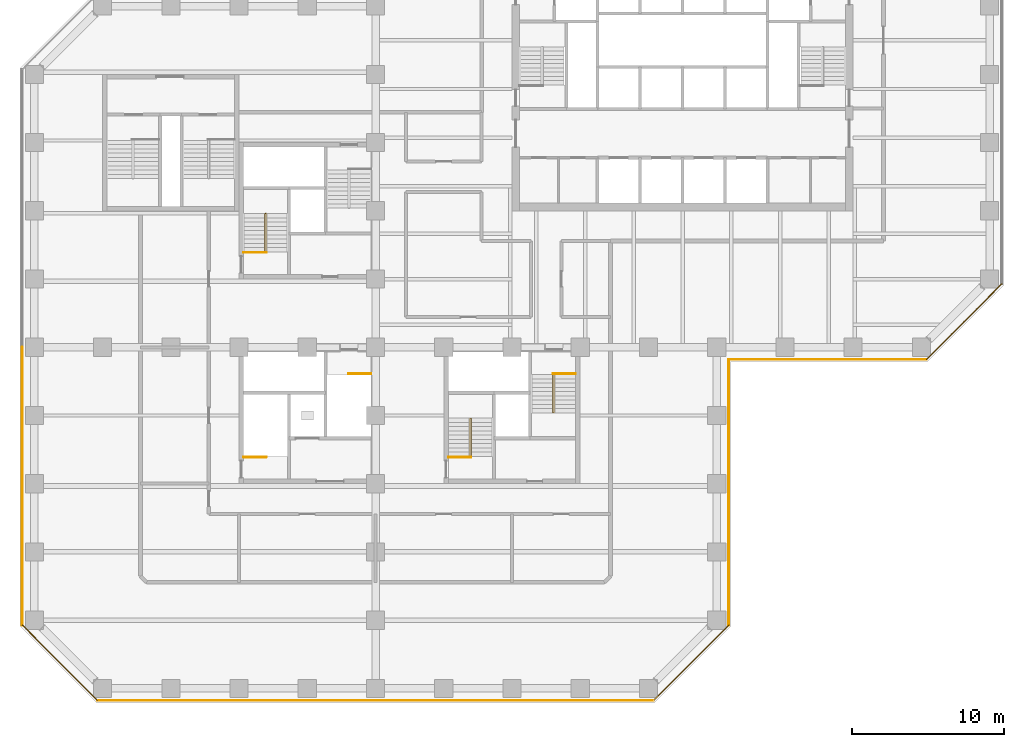
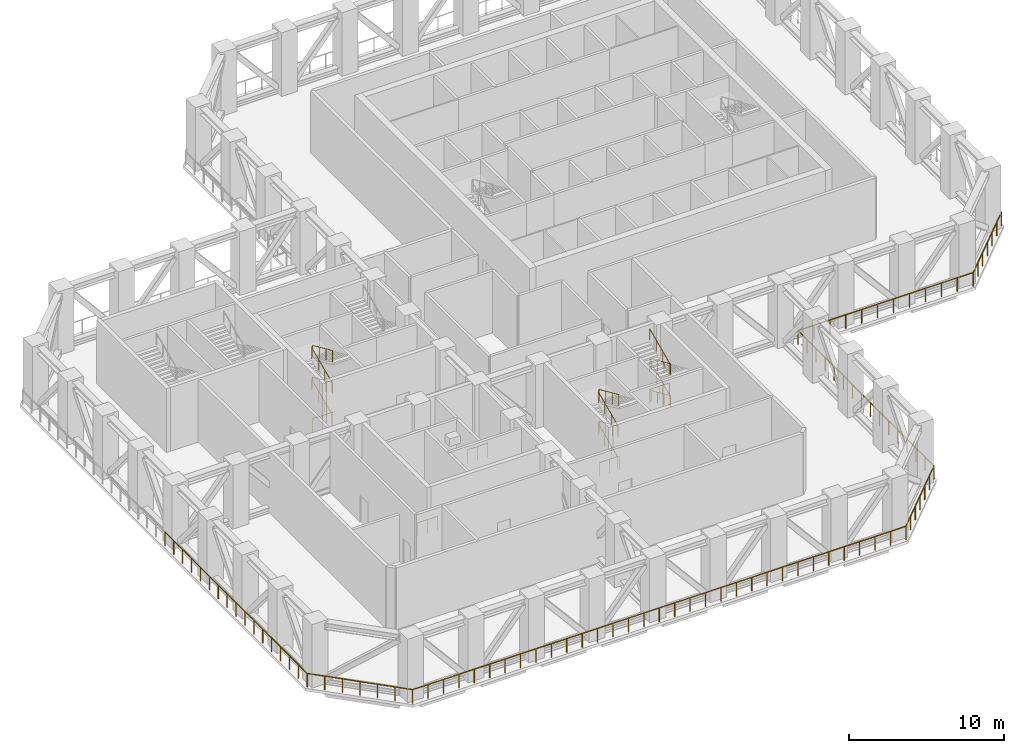
# One storey, part 14 of 16: 16 railings.
"""IFC4 building model written with IfcOpenShell, lengths in metres."""

from ifc_helpers import new_model, si_unit, direction, frame, origin, origin_2d, place, context, subcontext, project, spatial, circle, extrude, material, type_object, element, save


model = new_model("IFC4")

# Units and contexts
model_context = context("Model", 3, precision=1e-05, world=origin(), true_north=direction((0.0, 1.0)))
body_context = subcontext(model_context, "Body", "Model", "MODEL_VIEW")
ifc_project = project(units=[si_unit("LENGTHUNIT", "METRE"), si_unit("AREAUNIT", "SQUARE_METRE"), si_unit("VOLUMEUNIT", "CUBIC_METRE"), si_unit("PLANEANGLEUNIT", "RADIAN"), si_unit("MASSUNIT", "GRAM", prefix="KILO")], contexts=[model_context])

# Site, building, storey
site_placement = place(None, origin())
site = spatial("IfcSite", under=ifc_project, at=site_placement, CompositionType="ELEMENT")
building_placement = place(site_placement, origin())
building = spatial("IfcBuilding", under=site, at=building_placement, Name="Quoin Convention Tower", CompositionType="ELEMENT")
storey_placement = place(building_placement, frame((0.0, 0.0, 69.300048828125)))
storey = spatial("IfcBuildingStorey", under=building, at=storey_placement, Name="L18", CompositionType="ELEMENT", Elevation=69.300048828125)

# Railings
ifc_material = material(Name="Stainless steel", Category="steel")
railing_type_1 = type_object("IfcRailingType", Name="Guard 1100", PredefinedType="GUARDRAIL", material=ifc_material)
railing_1_placement = place(storey_placement, frame((12.699951171875, 22.168701171875, 0.0)))
element("IfcRailing", 1, at=railing_1_placement, inside=storey, type_object=railing_type_1, Name="grd-L18-13500_22500", PredefinedType="GUARDRAIL", context=body_context, shape_type="SweptSolid", body=[
    extrude(circle(Radius=0.02392578125, at=origin_2d()), frame((0.0, 0.0, 1.076171875), z_axis=(0.707106781187, -0.707106781187, 0.0), x_axis=(0.707106781187, 0.707106781187, 0.0)), (0.0, 0.0, 1.0), 7.02685546875),
    extrude(circle(Radius=0.02099609375, at=origin_2d()), origin(), (0.0, 0.0, 1.0), 1.052001953125),
    extrude(circle(Radius=0.02099609375, at=origin_2d()), frame((0.828125, -0.828125, 0.0)), (0.0, 0.0, 1.0), 1.052001953125),
    extrude(circle(Radius=0.02099609375, at=origin_2d()), frame((1.65625, -1.65625, 0.0)), (0.0, 0.0, 1.0), 1.052001953125),
    extrude(circle(Radius=0.02099609375, at=origin_2d()), frame((2.484375, -2.484375, 0.0)), (0.0, 0.0, 1.0), 1.052001953125),
    extrude(circle(Radius=0.02099609375, at=origin_2d()), frame((3.3125, -3.3125, 0.0)), (0.0, 0.0, 1.0), 1.052001953125),
    extrude(circle(Radius=0.02099609375, at=origin_2d()), frame((4.140625, -4.140625, 0.0)), (0.0, 0.0, 1.0), 1.052001953125),
    extrude(circle(Radius=0.02099609375, at=origin_2d()), frame((4.96875, -4.96875, 0.0)), (0.0, 0.0, 1.0), 1.052001953125),
])
railing_2_placement = place(storey_placement, frame((17.668701171875, 17.199951171875, 0.0)))
element("IfcRailing", 2, at=railing_2_placement, inside=storey, type_object=railing_type_1, Name="grd-L18-18000_18000", PredefinedType="GUARDRAIL", context=body_context, shape_type="SweptSolid", body=[
    extrude(circle(Radius=0.02392578125, at=origin_2d()), frame((0.0, 0.0, 1.076171875), z_axis=(1.0, 0.0, 0.0), x_axis=(0.0, 1.0, 0.0)), (0.0, 0.0, 1.0), 18.331298828125),
    extrude(circle(Radius=0.02099609375, at=origin_2d()), origin(), (0.0, 0.0, 1.0), 1.052001953125),
    extrude(circle(Radius=0.02099609375, at=origin_2d()), frame((1.145751953125, 0.0, 0.0)), (0.0, 0.0, 1.0), 1.052001953125),
    extrude(circle(Radius=0.02099609375, at=origin_2d()), frame((2.29150390625, 0.0, 0.0)), (0.0, 0.0, 1.0), 1.052001953125),
    extrude(circle(Radius=0.02099609375, at=origin_2d()), frame((3.43701171875, 0.0, 0.0)), (0.0, 0.0, 1.0), 1.052001953125),
    extrude(circle(Radius=0.02099609375, at=origin_2d()), frame((4.582763671875, 0.0, 0.0)), (0.0, 0.0, 1.0), 1.052001953125),
    extrude(circle(Radius=0.02099609375, at=origin_2d()), frame((5.728515625, 0.0, 0.0)), (0.0, 0.0, 1.0), 1.052001953125),
    extrude(circle(Radius=0.02099609375, at=origin_2d()), frame((6.874267578125, 0.0, 0.0)), (0.0, 0.0, 1.0), 1.052001953125),
    extrude(circle(Radius=0.02099609375, at=origin_2d()), frame((8.02001953125, 0.0, 0.0)), (0.0, 0.0, 1.0), 1.052001953125),
    extrude(circle(Radius=0.02099609375, at=origin_2d()), frame((9.16552734375, 0.0, 0.0)), (0.0, 0.0, 1.0), 1.052001953125),
    extrude(circle(Radius=0.02099609375, at=origin_2d()), frame((10.311279296875, 0.0, 0.0)), (0.0, 0.0, 1.0), 1.052001953125),
    extrude(circle(Radius=0.02099609375, at=origin_2d()), frame((11.45703125, 0.0, 0.0)), (0.0, 0.0, 1.0), 1.052001953125),
    extrude(circle(Radius=0.02099609375, at=origin_2d()), frame((12.602783203125, 0.0, 0.0)), (0.0, 0.0, 1.0), 1.052001953125),
    extrude(circle(Radius=0.02099609375, at=origin_2d()), frame((13.74853515625, 0.0, 0.0)), (0.0, 0.0, 1.0), 1.052001953125),
    extrude(circle(Radius=0.02099609375, at=origin_2d()), frame((14.894287109375, 0.0, 0.0)), (0.0, 0.0, 1.0), 1.052001953125),
    extrude(circle(Radius=0.02099609375, at=origin_2d()), frame((16.039794921875, 0.0, 0.0)), (0.0, 0.0, 1.0), 1.052001953125),
    extrude(circle(Radius=0.02099609375, at=origin_2d()), frame((17.185546875, 0.0, 0.0)), (0.0, 0.0, 1.0), 1.052001953125),
    extrude(circle(Radius=0.02099609375, at=origin_2d()), frame((18.331298828125, 0.0, 0.0)), (0.0, 0.0, 1.0), 1.052001953125),
])
railing_3_placement = place(storey_placement, frame((36.0, 17.199951171875, 0.0)))
element("IfcRailing", 3, at=railing_3_placement, inside=storey, type_object=railing_type_1, Name="grd-L18-36000_18000", PredefinedType="GUARDRAIL", context=body_context, shape_type="SweptSolid", body=[
    extrude(circle(Radius=0.02392578125, at=origin_2d()), frame((0.0, 0.0, 1.076171875), z_axis=(1.0, 0.0, 0.0), x_axis=(0.0, 1.0, 0.0)), (0.0, 0.0, 1.0), 18.331298828125),
    extrude(circle(Radius=0.02099609375, at=origin_2d()), origin(), (0.0, 0.0, 1.0), 1.052001953125),
    extrude(circle(Radius=0.02099609375, at=origin_2d()), frame((1.145751953125, 0.0, 0.0)), (0.0, 0.0, 1.0), 1.052001953125),
    extrude(circle(Radius=0.02099609375, at=origin_2d()), frame((2.29150390625, 0.0, 0.0)), (0.0, 0.0, 1.0), 1.052001953125),
    extrude(circle(Radius=0.02099609375, at=origin_2d()), frame((3.43701171875, 0.0, 0.0)), (0.0, 0.0, 1.0), 1.052001953125),
    extrude(circle(Radius=0.02099609375, at=origin_2d()), frame((4.582763671875, 0.0, 0.0)), (0.0, 0.0, 1.0), 1.052001953125),
    extrude(circle(Radius=0.02099609375, at=origin_2d()), frame((5.728515625, 0.0, 0.0)), (0.0, 0.0, 1.0), 1.052001953125),
    extrude(circle(Radius=0.02099609375, at=origin_2d()), frame((6.874267578125, 0.0, 0.0)), (0.0, 0.0, 1.0), 1.052001953125),
    extrude(circle(Radius=0.02099609375, at=origin_2d()), frame((8.02001953125, 0.0, 0.0)), (0.0, 0.0, 1.0), 1.052001953125),
    extrude(circle(Radius=0.02099609375, at=origin_2d()), frame((9.16552734375, 0.0, 0.0)), (0.0, 0.0, 1.0), 1.052001953125),
    extrude(circle(Radius=0.02099609375, at=origin_2d()), frame((10.311279296875, 0.0, 0.0)), (0.0, 0.0, 1.0), 1.052001953125),
    extrude(circle(Radius=0.02099609375, at=origin_2d()), frame((11.45703125, 0.0, 0.0)), (0.0, 0.0, 1.0), 1.052001953125),
    extrude(circle(Radius=0.02099609375, at=origin_2d()), frame((12.602783203125, 0.0, 0.0)), (0.0, 0.0, 1.0), 1.052001953125),
    extrude(circle(Radius=0.02099609375, at=origin_2d()), frame((13.74853515625, 0.0, 0.0)), (0.0, 0.0, 1.0), 1.052001953125),
    extrude(circle(Radius=0.02099609375, at=origin_2d()), frame((14.894287109375, 0.0, 0.0)), (0.0, 0.0, 1.0), 1.052001953125),
    extrude(circle(Radius=0.02099609375, at=origin_2d()), frame((16.039794921875, 0.0, 0.0)), (0.0, 0.0, 1.0), 1.052001953125),
    extrude(circle(Radius=0.02099609375, at=origin_2d()), frame((17.185546875, 0.0, 0.0)), (0.0, 0.0, 1.0), 1.052001953125),
    extrude(circle(Radius=0.02099609375, at=origin_2d()), frame((18.331298828125, 0.0, 0.0)), (0.0, 0.0, 1.0), 1.052001953125),
])
railing_4_placement = place(storey_placement, frame((54.331298828125, 17.199951171875, 0.0)))
element("IfcRailing", 4, at=railing_4_placement, inside=storey, type_object=railing_type_1, Name="grd-L18-54000_18000", PredefinedType="GUARDRAIL", context=body_context, shape_type="SweptSolid", body=[
    extrude(circle(Radius=0.02392578125, at=origin_2d()), frame((0.0, 0.0, 1.076171875), z_axis=(0.707106781187, 0.707106781187, 0.0), x_axis=(-0.707106781187, 0.707106781187, 0.0)), (0.0, 0.0, 1.0), 7.02685546875),
    extrude(circle(Radius=0.02099609375, at=origin_2d()), origin(), (0.0, 0.0, 1.0), 1.052001953125),
    extrude(circle(Radius=0.02099609375, at=origin_2d()), frame((0.828125, 0.828125, 0.0)), (0.0, 0.0, 1.0), 1.052001953125),
    extrude(circle(Radius=0.02099609375, at=origin_2d()), frame((1.65625, 1.65625, 0.0)), (0.0, 0.0, 1.0), 1.052001953125),
    extrude(circle(Radius=0.02099609375, at=origin_2d()), frame((2.484375, 2.484375, 0.0)), (0.0, 0.0, 1.0), 1.052001953125),
    extrude(circle(Radius=0.02099609375, at=origin_2d()), frame((3.3125, 3.3125, 0.0)), (0.0, 0.0, 1.0), 1.052001953125),
    extrude(circle(Radius=0.02099609375, at=origin_2d()), frame((4.140625, 4.140625, 0.0)), (0.0, 0.0, 1.0), 1.052001953125),
    extrude(circle(Radius=0.02099609375, at=origin_2d()), frame((4.96875, 4.96875, 0.0)), (0.0, 0.0, 1.0), 1.052001953125),
])
railing_5_placement = place(storey_placement, frame((59.300048828125, 22.168701171875, 0.0)))
element("IfcRailing", 5, at=railing_5_placement, inside=storey, type_object=railing_type_1, Name="grd-L18-58500_22500", PredefinedType="GUARDRAIL", context=body_context, shape_type="SweptSolid", body=[
    extrude(circle(Radius=0.02392578125, at=origin_2d()), frame((0.0, 0.0, 1.076171875), z_axis=(0.0, 1.0, 0.0), x_axis=(-1.0, 0.0, 0.0)), (0.0, 0.0, 1.0), 17.53125),
    extrude(circle(Radius=0.02099609375, at=origin_2d()), origin(), (0.0, 0.0, 1.0), 1.052001953125),
    extrude(circle(Radius=0.02099609375, at=origin_2d()), frame((0.0, 1.168701171875, 0.0)), (0.0, 0.0, 1.0), 1.052001953125),
    extrude(circle(Radius=0.02099609375, at=origin_2d()), frame((0.0, 2.33740234375, 0.0)), (0.0, 0.0, 1.0), 1.052001953125),
    extrude(circle(Radius=0.02099609375, at=origin_2d()), frame((0.0, 3.50634765625, 0.0)), (0.0, 0.0, 1.0), 1.052001953125),
    extrude(circle(Radius=0.02099609375, at=origin_2d()), frame((0.0, 4.675048828125, 0.0)), (0.0, 0.0, 1.0), 1.052001953125),
    extrude(circle(Radius=0.02099609375, at=origin_2d()), frame((0.0, 5.84375, 0.0)), (0.0, 0.0, 1.0), 1.052001953125),
    extrude(circle(Radius=0.02099609375, at=origin_2d()), frame((0.0, 7.012451171875, 0.0)), (0.0, 0.0, 1.0), 1.052001953125),
    extrude(circle(Radius=0.02099609375, at=origin_2d()), frame((0.0, 8.18115234375, 0.0)), (0.0, 0.0, 1.0), 1.052001953125),
    extrude(circle(Radius=0.02099609375, at=origin_2d()), frame((0.0, 9.35009765625, 0.0)), (0.0, 0.0, 1.0), 1.052001953125),
    extrude(circle(Radius=0.02099609375, at=origin_2d()), frame((0.0, 10.518798828125, 0.0)), (0.0, 0.0, 1.0), 1.052001953125),
    extrude(circle(Radius=0.02099609375, at=origin_2d()), frame((0.0, 11.6875, 0.0)), (0.0, 0.0, 1.0), 1.052001953125),
    extrude(circle(Radius=0.02099609375, at=origin_2d()), frame((0.0, 12.856201171875, 0.0)), (0.0, 0.0, 1.0), 1.052001953125),
    extrude(circle(Radius=0.02099609375, at=origin_2d()), frame((0.0, 14.02490234375, 0.0)), (0.0, 0.0, 1.0), 1.052001953125),
    extrude(circle(Radius=0.02099609375, at=origin_2d()), frame((0.0, 15.19384765625, 0.0)), (0.0, 0.0, 1.0), 1.052001953125),
    extrude(circle(Radius=0.02099609375, at=origin_2d()), frame((0.0, 16.362548828125, 0.0)), (0.0, 0.0, 1.0), 1.052001953125),
    extrude(circle(Radius=0.02099609375, at=origin_2d()), frame((0.0, 17.53125, 0.0)), (0.0, 0.0, 1.0), 1.052001953125),
])
railing_6_placement = place(storey_placement, frame((59.300048828125, 39.699951171875, 0.0)))
element("IfcRailing", 6, at=railing_6_placement, inside=storey, type_object=railing_type_1, Name="grd-L18-58500_40500", PredefinedType="GUARDRAIL", context=body_context, shape_type="SweptSolid", body=[
    extrude(circle(Radius=0.02392578125, at=origin_2d()), frame((0.0, 0.0, 1.076171875), z_axis=(1.0, 0.0, 0.0), x_axis=(0.0, 1.0, 0.0)), (0.0, 0.0, 1.0), 13.03125),
    extrude(circle(Radius=0.02099609375, at=origin_2d()), origin(), (0.0, 0.0, 1.0), 1.052001953125),
    extrude(circle(Radius=0.02099609375, at=origin_2d()), frame((1.1845703125, 0.0, 0.0)), (0.0, 0.0, 1.0), 1.052001953125),
    extrude(circle(Radius=0.02099609375, at=origin_2d()), frame((2.369384765625, 0.0, 0.0)), (0.0, 0.0, 1.0), 1.052001953125),
    extrude(circle(Radius=0.02099609375, at=origin_2d()), frame((3.553955078125, 0.0, 0.0)), (0.0, 0.0, 1.0), 1.052001953125),
    extrude(circle(Radius=0.02099609375, at=origin_2d()), frame((4.738525390625, 0.0, 0.0)), (0.0, 0.0, 1.0), 1.052001953125),
    extrude(circle(Radius=0.02099609375, at=origin_2d()), frame((5.92333984375, 0.0, 0.0)), (0.0, 0.0, 1.0), 1.052001953125),
    extrude(circle(Radius=0.02099609375, at=origin_2d()), frame((7.10791015625, 0.0, 0.0)), (0.0, 0.0, 1.0), 1.052001953125),
    extrude(circle(Radius=0.02099609375, at=origin_2d()), frame((8.292724609375, 0.0, 0.0)), (0.0, 0.0, 1.0), 1.052001953125),
    extrude(circle(Radius=0.02099609375, at=origin_2d()), frame((9.477294921875, 0.0, 0.0)), (0.0, 0.0, 1.0), 1.052001953125),
    extrude(circle(Radius=0.02099609375, at=origin_2d()), frame((10.661865234375, 0.0, 0.0)), (0.0, 0.0, 1.0), 1.052001953125),
    extrude(circle(Radius=0.02099609375, at=origin_2d()), frame((11.8466796875, 0.0, 0.0)), (0.0, 0.0, 1.0), 1.052001953125),
    extrude(circle(Radius=0.02099609375, at=origin_2d()), frame((13.03125, 0.0, 0.0)), (0.0, 0.0, 1.0), 1.052001953125),
])
railing_7_placement = place(storey_placement, frame((72.331298828125, 39.699951171875, 0.0)))
element("IfcRailing", 7, at=railing_7_placement, inside=storey, type_object=railing_type_1, Name="grd-L18-72000_40500", PredefinedType="GUARDRAIL", context=body_context, shape_type="SweptSolid", body=[
    extrude(circle(Radius=0.02392578125, at=origin_2d()), frame((0.0, 0.0, 1.076171875), z_axis=(0.707106781187, 0.707106781187, 0.0), x_axis=(-0.707106781187, 0.707106781187, 0.0)), (0.0, 0.0, 1.0), 7.02685546875),
    extrude(circle(Radius=0.02099609375, at=origin_2d()), origin(), (0.0, 0.0, 1.0), 1.052001953125),
    extrude(circle(Radius=0.02099609375, at=origin_2d()), frame((0.828125, 0.828125, 0.0)), (0.0, 0.0, 1.0), 1.052001953125),
    extrude(circle(Radius=0.02099609375, at=origin_2d()), frame((1.65625, 1.65625, 0.0)), (0.0, 0.0, 1.0), 1.052001953125),
    extrude(circle(Radius=0.02099609375, at=origin_2d()), frame((2.484375, 2.484375, 0.0)), (0.0, 0.0, 1.0), 1.052001953125),
    extrude(circle(Radius=0.02099609375, at=origin_2d()), frame((3.3125, 3.3125, 0.0)), (0.0, 0.0, 1.0), 1.052001953125),
    extrude(circle(Radius=0.02099609375, at=origin_2d()), frame((4.140625, 4.140625, 0.0)), (0.0, 0.0, 1.0), 1.052001953125),
    extrude(circle(Radius=0.02099609375, at=origin_2d()), frame((4.96875, 4.96875, 0.0)), (0.0, 0.0, 1.0), 1.052001953125),
])
railing_8_placement = place(storey_placement, frame((12.699951171875, 40.5, 0.0)))
element("IfcRailing", 8, at=railing_8_placement, inside=storey, type_object=railing_type_1, Name="grd-L18-13500_40500", PredefinedType="GUARDRAIL", context=body_context, shape_type="SweptSolid", body=[
    extrude(circle(Radius=0.02392578125, at=origin_2d()), frame((0.0, 0.0, 1.076171875), z_axis=(0.0, -1.0, 0.0), x_axis=(1.0, 0.0, 0.0)), (0.0, 0.0, 1.0), 18.331298828125),
    extrude(circle(Radius=0.02099609375, at=origin_2d()), origin(), (0.0, 0.0, 1.0), 1.052001953125),
    extrude(circle(Radius=0.02099609375, at=origin_2d()), frame((0.0, -1.145751953125, 0.0)), (0.0, 0.0, 1.0), 1.052001953125),
    extrude(circle(Radius=0.02099609375, at=origin_2d()), frame((0.0, -2.29150390625, 0.0)), (0.0, 0.0, 1.0), 1.052001953125),
    extrude(circle(Radius=0.02099609375, at=origin_2d()), frame((0.0, -3.43701171875, 0.0)), (0.0, 0.0, 1.0), 1.052001953125),
    extrude(circle(Radius=0.02099609375, at=origin_2d()), frame((0.0, -4.582763671875, 0.0)), (0.0, 0.0, 1.0), 1.052001953125),
    extrude(circle(Radius=0.02099609375, at=origin_2d()), frame((0.0, -5.728515625, 0.0)), (0.0, 0.0, 1.0), 1.052001953125),
    extrude(circle(Radius=0.02099609375, at=origin_2d()), frame((0.0, -6.874267578125, 0.0)), (0.0, 0.0, 1.0), 1.052001953125),
    extrude(circle(Radius=0.02099609375, at=origin_2d()), frame((0.0, -8.02001953125, 0.0)), (0.0, 0.0, 1.0), 1.052001953125),
    extrude(circle(Radius=0.02099609375, at=origin_2d()), frame((0.0, -9.16552734375, 0.0)), (0.0, 0.0, 1.0), 1.052001953125),
    extrude(circle(Radius=0.02099609375, at=origin_2d()), frame((0.0, -10.311279296875, 0.0)), (0.0, 0.0, 1.0), 1.052001953125),
    extrude(circle(Radius=0.02099609375, at=origin_2d()), frame((0.0, -11.45703125, 0.0)), (0.0, 0.0, 1.0), 1.052001953125),
    extrude(circle(Radius=0.02099609375, at=origin_2d()), frame((0.0, -12.602783203125, 0.0)), (0.0, 0.0, 1.0), 1.052001953125),
    extrude(circle(Radius=0.02099609375, at=origin_2d()), frame((0.0, -13.74853515625, 0.0)), (0.0, 0.0, 1.0), 1.052001953125),
    extrude(circle(Radius=0.02099609375, at=origin_2d()), frame((0.0, -14.894287109375, 0.0)), (0.0, 0.0, 1.0), 1.052001953125),
    extrude(circle(Radius=0.02099609375, at=origin_2d()), frame((0.0, -16.039794921875, 0.0)), (0.0, 0.0, 1.0), 1.052001953125),
    extrude(circle(Radius=0.02099609375, at=origin_2d()), frame((0.0, -17.185546875, 0.0)), (0.0, 0.0, 1.0), 1.052001953125),
    extrude(circle(Radius=0.02099609375, at=origin_2d()), frame((0.0, -18.331298828125, 0.0)), (0.0, 0.0, 1.0), 1.052001953125),
])
railing_type_2 = type_object("IfcRailingType", Name="Stair handrail 900", PredefinedType="HANDRAIL", material=ifc_material)
railing_9_placement = place(storey_placement, frame((28.705078125, 46.800048828125, 0.125)))
element("IfcRailing", 9, at=railing_9_placement, inside=storey, type_object=railing_type_2, Name="SD3 handrail 1", PredefinedType="HANDRAIL", context=body_context, shape_type="SweptSolid", body=[
    extrude(circle(Radius=0.02392578125, at=origin_2d()), frame((0.0, 0.0, 0.8759765625), z_axis=(0.0, 0.913139058521, 0.407648205936), x_axis=(-1.0, 0.0, 0.0)), (0.0, 0.0, 1.0), 2.759765625),
    extrude(circle(Radius=0.02392578125, at=origin_2d()), frame((0.0, 2.52001953125, 2.0009765625), z_axis=(0.583636048153, 0.0, 0.812015371343), x_axis=(0.0, 1.0, 0.0)), (0.0, 0.0, 1.0), 0.154052734375),
    extrude(circle(Radius=0.02392578125, at=origin_2d()), frame((0.08984375, 2.52001953125, 2.1259765625), z_axis=(0.0, -0.913139058521, 0.407648205936), x_axis=(1.0, 0.0, 0.0)), (0.0, 0.0, 1.0), 2.759765625),
    extrude(circle(Radius=0.02392578125, at=origin_2d()), frame((0.08984375, 0.0, 3.2509765625), z_axis=(-0.583636048153, 0.0, 0.812015371343), x_axis=(0.0, -1.0, 0.0)), (0.0, 0.0, 1.0), 0.154052734375),
    extrude(circle(Radius=0.02392578125, at=origin_2d()), frame((0.0, 0.0, 3.3759765625), z_axis=(0.0, 0.913139058521, 0.407648205936), x_axis=(-1.0, 0.0, 0.0)), (0.0, 0.0, 1.0), 2.759765625),
    extrude(circle(Radius=0.02392578125, at=origin_2d()), frame((0.0, 2.52001953125, 4.5009765625), z_axis=(0.583636048153, 0.0, 0.812015371343), x_axis=(0.0, 1.0, 0.0)), (0.0, 0.0, 1.0), 0.154052734375),
    extrude(circle(Radius=0.02392578125, at=origin_2d()), frame((0.08984375, 2.52001953125, 4.6259765625), z_axis=(0.0, -0.913139058521, 0.407648205936), x_axis=(1.0, 0.0, 0.0)), (0.0, 0.0, 1.0), 2.759765625),
    extrude(circle(Radius=0.02099609375, at=origin_2d()), origin(), (0.0, 0.0, 1.0), 0.851806640625),
    extrude(circle(Radius=0.02099609375, at=origin_2d()), frame((0.0, 0.840087890625, 0.375)), (0.0, 0.0, 1.0), 0.851806640625),
    extrude(circle(Radius=0.02099609375, at=origin_2d()), frame((0.0, 1.679931640625, 0.75)), (0.0, 0.0, 1.0), 0.851806640625),
    extrude(circle(Radius=0.02099609375, at=origin_2d()), frame((0.0, 2.52001953125, 1.125)), (0.0, 0.0, 1.0), 0.851806640625),
    extrude(circle(Radius=0.02099609375, at=origin_2d()), frame((0.08984375, 2.52001953125, 1.25)), (0.0, 0.0, 1.0), 0.851806640625),
    extrude(circle(Radius=0.02099609375, at=origin_2d()), frame((0.08984375, 1.679931640625, 1.625)), (0.0, 0.0, 1.0), 0.851806640625),
    extrude(circle(Radius=0.02099609375, at=origin_2d()), frame((0.08984375, 0.840087890625, 2.0)), (0.0, 0.0, 1.0), 0.851806640625),
    extrude(circle(Radius=0.02099609375, at=origin_2d()), frame((0.08984375, 0.0, 2.375)), (0.0, 0.0, 1.0), 0.851806640625),
    extrude(circle(Radius=0.02099609375, at=origin_2d()), frame((0.0, 0.0, 2.5)), (0.0, 0.0, 1.0), 0.851806640625),
    extrude(circle(Radius=0.02099609375, at=origin_2d()), frame((0.0, 0.840087890625, 2.875)), (0.0, 0.0, 1.0), 0.851806640625),
    extrude(circle(Radius=0.02099609375, at=origin_2d()), frame((0.0, 1.679931640625, 3.25)), (0.0, 0.0, 1.0), 0.851806640625),
    extrude(circle(Radius=0.02099609375, at=origin_2d()), frame((0.0, 2.52001953125, 3.625)), (0.0, 0.0, 1.0), 0.851806640625),
    extrude(circle(Radius=0.02099609375, at=origin_2d()), frame((0.08984375, 2.52001953125, 3.75)), (0.0, 0.0, 1.0), 0.851806640625),
    extrude(circle(Radius=0.02099609375, at=origin_2d()), frame((0.08984375, 1.679931640625, 4.125)), (0.0, 0.0, 1.0), 0.851806640625),
    extrude(circle(Radius=0.02099609375, at=origin_2d()), frame((0.08984375, 0.840087890625, 4.5)), (0.0, 0.0, 1.0), 0.851806640625),
    extrude(circle(Radius=0.02099609375, at=origin_2d()), frame((0.08984375, 0.0, 4.875)), (0.0, 0.0, 1.0), 0.851806640625),
])
railing_10_placement = place(storey_placement, frame((42.205078125, 33.300048828125, 0.125)))
element("IfcRailing", 10, at=railing_10_placement, inside=storey, type_object=railing_type_2, Name="SD5 handrail 1", PredefinedType="HANDRAIL", context=body_context, shape_type="SweptSolid", body=[
    extrude(circle(Radius=0.02392578125, at=origin_2d()), frame((0.0, 0.0, 0.8759765625), z_axis=(0.0, 0.913139058521, 0.407648205936), x_axis=(-1.0, 0.0, 0.0)), (0.0, 0.0, 1.0), 2.759765625),
    extrude(circle(Radius=0.02392578125, at=origin_2d()), frame((0.0, 2.52001953125, 2.0009765625), z_axis=(0.583636048153, 0.0, 0.812015371343), x_axis=(0.0, 1.0, 0.0)), (0.0, 0.0, 1.0), 0.154052734375),
    extrude(circle(Radius=0.02392578125, at=origin_2d()), frame((0.08984375, 2.52001953125, 2.1259765625), z_axis=(0.0, -0.913139058521, 0.407648205936), x_axis=(1.0, 0.0, 0.0)), (0.0, 0.0, 1.0), 2.759765625),
    extrude(circle(Radius=0.02392578125, at=origin_2d()), frame((0.08984375, 0.0, 3.2509765625), z_axis=(-0.583636048153, 0.0, 0.812015371343), x_axis=(0.0, -1.0, 0.0)), (0.0, 0.0, 1.0), 0.154052734375),
    extrude(circle(Radius=0.02392578125, at=origin_2d()), frame((0.0, 0.0, 3.3759765625), z_axis=(0.0, 0.913139058521, 0.407648205936), x_axis=(-1.0, 0.0, 0.0)), (0.0, 0.0, 1.0), 2.759765625),
    extrude(circle(Radius=0.02392578125, at=origin_2d()), frame((0.0, 2.52001953125, 4.5009765625), z_axis=(0.583636048153, 0.0, 0.812015371343), x_axis=(0.0, 1.0, 0.0)), (0.0, 0.0, 1.0), 0.154052734375),
    extrude(circle(Radius=0.02392578125, at=origin_2d()), frame((0.08984375, 2.52001953125, 4.6259765625), z_axis=(0.0, -0.913139058521, 0.407648205936), x_axis=(1.0, 0.0, 0.0)), (0.0, 0.0, 1.0), 2.759765625),
    extrude(circle(Radius=0.02099609375, at=origin_2d()), origin(), (0.0, 0.0, 1.0), 0.851806640625),
    extrude(circle(Radius=0.02099609375, at=origin_2d()), frame((0.0, 0.840087890625, 0.375)), (0.0, 0.0, 1.0), 0.851806640625),
    extrude(circle(Radius=0.02099609375, at=origin_2d()), frame((0.0, 1.679931640625, 0.75)), (0.0, 0.0, 1.0), 0.851806640625),
    extrude(circle(Radius=0.02099609375, at=origin_2d()), frame((0.0, 2.52001953125, 1.125)), (0.0, 0.0, 1.0), 0.851806640625),
    extrude(circle(Radius=0.02099609375, at=origin_2d()), frame((0.08984375, 2.52001953125, 1.25)), (0.0, 0.0, 1.0), 0.851806640625),
    extrude(circle(Radius=0.02099609375, at=origin_2d()), frame((0.08984375, 1.679931640625, 1.625)), (0.0, 0.0, 1.0), 0.851806640625),
    extrude(circle(Radius=0.02099609375, at=origin_2d()), frame((0.08984375, 0.840087890625, 2.0)), (0.0, 0.0, 1.0), 0.851806640625),
    extrude(circle(Radius=0.02099609375, at=origin_2d()), frame((0.08984375, 0.0, 2.375)), (0.0, 0.0, 1.0), 0.851806640625),
    extrude(circle(Radius=0.02099609375, at=origin_2d()), frame((0.0, 0.0, 2.5)), (0.0, 0.0, 1.0), 0.851806640625),
    extrude(circle(Radius=0.02099609375, at=origin_2d()), frame((0.0, 0.840087890625, 2.875)), (0.0, 0.0, 1.0), 0.851806640625),
    extrude(circle(Radius=0.02099609375, at=origin_2d()), frame((0.0, 1.679931640625, 3.25)), (0.0, 0.0, 1.0), 0.851806640625),
    extrude(circle(Radius=0.02099609375, at=origin_2d()), frame((0.0, 2.52001953125, 3.625)), (0.0, 0.0, 1.0), 0.851806640625),
    extrude(circle(Radius=0.02099609375, at=origin_2d()), frame((0.08984375, 2.52001953125, 3.75)), (0.0, 0.0, 1.0), 0.851806640625),
    extrude(circle(Radius=0.02099609375, at=origin_2d()), frame((0.08984375, 1.679931640625, 4.125)), (0.0, 0.0, 1.0), 0.851806640625),
    extrude(circle(Radius=0.02099609375, at=origin_2d()), frame((0.08984375, 0.840087890625, 4.5)), (0.0, 0.0, 1.0), 0.851806640625),
    extrude(circle(Radius=0.02099609375, at=origin_2d()), frame((0.08984375, 0.0, 4.875)), (0.0, 0.0, 1.0), 0.851806640625),
])
railing_11_placement = place(storey_placement, frame((47.794921875, 38.699951171875, 0.125)))
element("IfcRailing", 11, at=railing_11_placement, inside=storey, type_object=railing_type_2, Name="SD6 handrail 1", PredefinedType="HANDRAIL", context=body_context, shape_type="SweptSolid", body=[
    extrude(circle(Radius=0.02392578125, at=origin_2d()), frame((0.0, 0.0, 0.8759765625), z_axis=(0.0, -0.913139058521, 0.407648205936), x_axis=(1.0, 0.0, 0.0)), (0.0, 0.0, 1.0), 2.759765625),
    extrude(circle(Radius=0.02392578125, at=origin_2d()), frame((0.0, -2.52001953125, 2.0009765625), z_axis=(-0.583636048153, 0.0, 0.812015371343), x_axis=(0.0, -1.0, 0.0)), (0.0, 0.0, 1.0), 0.154052734375),
    extrude(circle(Radius=0.02392578125, at=origin_2d()), frame((-0.08984375, -2.52001953125, 2.1259765625), z_axis=(0.0, 0.913139058521, 0.407648205936), x_axis=(-1.0, 0.0, 0.0)), (0.0, 0.0, 1.0), 2.759765625),
    extrude(circle(Radius=0.02392578125, at=origin_2d()), frame((-0.08984375, 0.0, 3.2509765625), z_axis=(0.583636048153, 0.0, 0.812015371343), x_axis=(0.0, 1.0, 0.0)), (0.0, 0.0, 1.0), 0.154052734375),
    extrude(circle(Radius=0.02392578125, at=origin_2d()), frame((0.0, 0.0, 3.3759765625), z_axis=(0.0, -0.913139058521, 0.407648205936), x_axis=(1.0, 0.0, 0.0)), (0.0, 0.0, 1.0), 2.759765625),
    extrude(circle(Radius=0.02392578125, at=origin_2d()), frame((0.0, -2.52001953125, 4.5009765625), z_axis=(-0.583636048153, 0.0, 0.812015371343), x_axis=(0.0, -1.0, 0.0)), (0.0, 0.0, 1.0), 0.154052734375),
    extrude(circle(Radius=0.02392578125, at=origin_2d()), frame((-0.08984375, -2.52001953125, 4.6259765625), z_axis=(0.0, 0.913139058521, 0.407648205936), x_axis=(-1.0, 0.0, 0.0)), (0.0, 0.0, 1.0), 2.759765625),
    extrude(circle(Radius=0.02099609375, at=origin_2d()), origin(), (0.0, 0.0, 1.0), 0.851806640625),
    extrude(circle(Radius=0.02099609375, at=origin_2d()), frame((0.0, -0.840087890625, 0.375)), (0.0, 0.0, 1.0), 0.851806640625),
    extrude(circle(Radius=0.02099609375, at=origin_2d()), frame((0.0, -1.679931640625, 0.75)), (0.0, 0.0, 1.0), 0.851806640625),
    extrude(circle(Radius=0.02099609375, at=origin_2d()), frame((0.0, -2.52001953125, 1.125)), (0.0, 0.0, 1.0), 0.851806640625),
    extrude(circle(Radius=0.02099609375, at=origin_2d()), frame((-0.08984375, -2.52001953125, 1.25)), (0.0, 0.0, 1.0), 0.851806640625),
    extrude(circle(Radius=0.02099609375, at=origin_2d()), frame((-0.08984375, -1.679931640625, 1.625)), (0.0, 0.0, 1.0), 0.851806640625),
    extrude(circle(Radius=0.02099609375, at=origin_2d()), frame((-0.08984375, -0.840087890625, 2.0)), (0.0, 0.0, 1.0), 0.851806640625),
    extrude(circle(Radius=0.02099609375, at=origin_2d()), frame((-0.08984375, 0.0, 2.375)), (0.0, 0.0, 1.0), 0.851806640625),
    extrude(circle(Radius=0.02099609375, at=origin_2d()), frame((0.0, 0.0, 2.5)), (0.0, 0.0, 1.0), 0.851806640625),
    extrude(circle(Radius=0.02099609375, at=origin_2d()), frame((0.0, -0.840087890625, 2.875)), (0.0, 0.0, 1.0), 0.851806640625),
    extrude(circle(Radius=0.02099609375, at=origin_2d()), frame((0.0, -1.679931640625, 3.25)), (0.0, 0.0, 1.0), 0.851806640625),
    extrude(circle(Radius=0.02099609375, at=origin_2d()), frame((0.0, -2.52001953125, 3.625)), (0.0, 0.0, 1.0), 0.851806640625),
    extrude(circle(Radius=0.02099609375, at=origin_2d()), frame((-0.08984375, -2.52001953125, 3.75)), (0.0, 0.0, 1.0), 0.851806640625),
    extrude(circle(Radius=0.02099609375, at=origin_2d()), frame((-0.08984375, -1.679931640625, 4.125)), (0.0, 0.0, 1.0), 0.851806640625),
    extrude(circle(Radius=0.02099609375, at=origin_2d()), frame((-0.08984375, -0.840087890625, 4.5)), (0.0, 0.0, 1.0), 0.851806640625),
    extrude(circle(Radius=0.02099609375, at=origin_2d()), frame((-0.08984375, 0.0, 4.875)), (0.0, 0.0, 1.0), 0.851806640625),
])
railing_type_3 = type_object("IfcRailingType", Name="Stair top guard 1100", PredefinedType="GUARDRAIL", material=ifc_material)
for number, where, name in (
    (12, (27.300048828125, 46.75, 0.0), "SD3 top guard"),
    (13, (40.800048828125, 33.25, 0.0), "SD5 top guard"),
):
    element("IfcRailing", number, at=place(storey_placement, frame(where)), inside=storey, type_object=railing_type_3, Name=name, PredefinedType="GUARDRAIL", context=body_context, shape_type="SweptSolid", body=[
        extrude(circle(Radius=0.02392578125, at=origin_2d()), frame((0.0, 0.0, 1.076171875), z_axis=(1.0, 0.0, 0.0), x_axis=(0.0, 1.0, 0.0)), (0.0, 0.0, 1.0), 1.494873046875),
        extrude(circle(Radius=0.02099609375, at=origin_2d()), origin(), (0.0, 0.0, 1.0), 1.052001953125),
        extrude(circle(Radius=0.02099609375, at=origin_2d()), frame((0.74755859375, 0.0, 0.0)), (0.0, 0.0, 1.0), 1.052001953125),
        extrude(circle(Radius=0.02099609375, at=origin_2d()), frame((1.494873046875, 0.0, 0.0)), (0.0, 0.0, 1.0), 1.052001953125),
    ])
railing_12_placement = place(storey_placement, frame((49.199951171875, 38.75, 0.0)))
element("IfcRailing", 14, at=railing_12_placement, inside=storey, type_object=railing_type_3, Name="SD6 top guard", PredefinedType="GUARDRAIL", context=body_context, shape_type="SweptSolid", body=[
    extrude(circle(Radius=0.02392578125, at=origin_2d()), frame((0.0, 0.0, 1.076171875), z_axis=(-1.0, 0.0, 0.0), x_axis=(0.0, -1.0, 0.0)), (0.0, 0.0, 1.0), 1.494873046875),
    extrude(circle(Radius=0.02099609375, at=origin_2d()), origin(), (0.0, 0.0, 1.0), 1.052001953125),
    extrude(circle(Radius=0.02099609375, at=origin_2d()), frame((-0.74755859375, 0.0, 0.0)), (0.0, 0.0, 1.0), 1.052001953125),
    extrude(circle(Radius=0.02099609375, at=origin_2d()), frame((-1.494873046875, 0.0, 0.0)), (0.0, 0.0, 1.0), 1.052001953125),
])
railing_13_placement = place(storey_placement, frame((27.300048828125, 33.25, 0.0)))
element("IfcRailing", 15, at=railing_13_placement, inside=storey, type_object=railing_type_3, Name="SD7 top guard", PredefinedType="GUARDRAIL", context=body_context, shape_type="SweptSolid", body=[
    extrude(circle(Radius=0.02392578125, at=origin_2d()), frame((0.0, 0.0, 1.076171875), z_axis=(1.0, 0.0, 0.0), x_axis=(0.0, 1.0, 0.0)), (0.0, 0.0, 1.0), 1.494873046875),
    extrude(circle(Radius=0.02099609375, at=origin_2d()), origin(), (0.0, 0.0, 1.0), 1.052001953125),
    extrude(circle(Radius=0.02099609375, at=origin_2d()), frame((0.74755859375, 0.0, 0.0)), (0.0, 0.0, 1.0), 1.052001953125),
    extrude(circle(Radius=0.02099609375, at=origin_2d()), frame((1.494873046875, 0.0, 0.0)), (0.0, 0.0, 1.0), 1.052001953125),
])
railing_14_placement = place(storey_placement, frame((35.699951171875, 38.75, 0.0)))
element("IfcRailing", 16, at=railing_14_placement, inside=storey, type_object=railing_type_3, Name="SD8 top guard", PredefinedType="GUARDRAIL", context=body_context, shape_type="SweptSolid", body=[
    extrude(circle(Radius=0.02392578125, at=origin_2d()), frame((0.0, 0.0, 1.076171875), z_axis=(-1.0, 0.0, 0.0), x_axis=(0.0, -1.0, 0.0)), (0.0, 0.0, 1.0), 1.494873046875),
    extrude(circle(Radius=0.02099609375, at=origin_2d()), origin(), (0.0, 0.0, 1.0), 1.052001953125),
    extrude(circle(Radius=0.02099609375, at=origin_2d()), frame((-0.74755859375, 0.0, 0.0)), (0.0, 0.0, 1.0), 1.052001953125),
    extrude(circle(Radius=0.02099609375, at=origin_2d()), frame((-1.494873046875, 0.0, 0.0)), (0.0, 0.0, 1.0), 1.052001953125),
])

save(model, "model.ifc")
